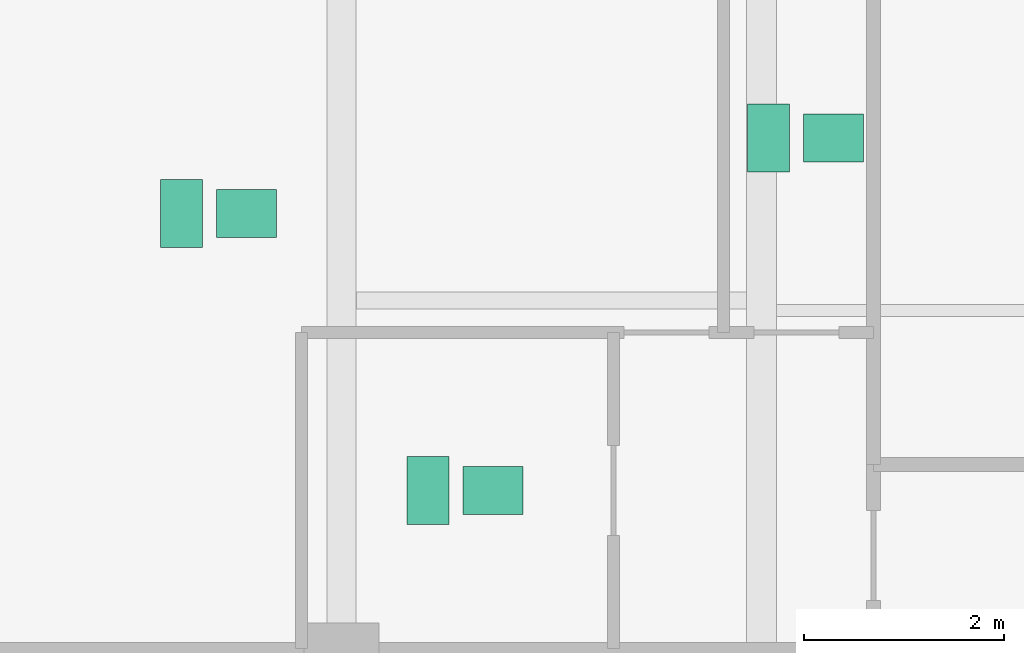
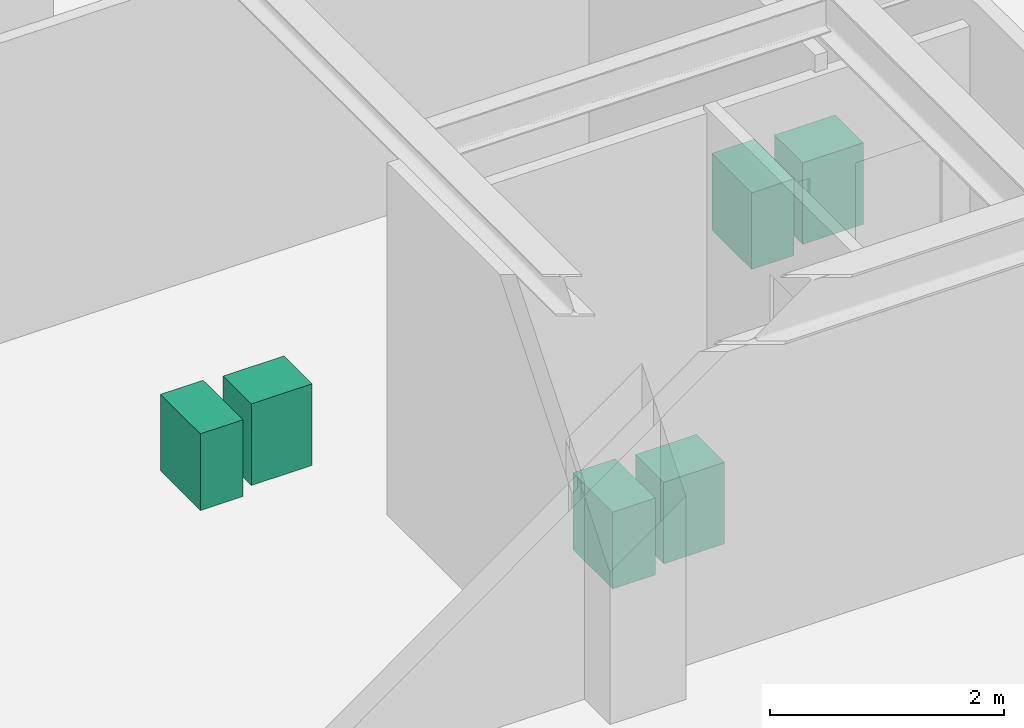
# One storey, part 22 of 22: 6 sanitary terminals.
"""IFC4 building model written with IfcOpenShell, lengths in metres."""

from ifc_helpers import new_model, si_unit, direction, frame, origin, origin_2d, place, context, subcontext, project, spatial, rectangle, extrude, source, transform, mapped, material, type_object, type_shapes, element, save


model = new_model("IFC4")

# Units and contexts
model_context = context("Model", 3, precision=1e-05, world=origin(), true_north=direction((0.0, 1.0)))
body_context = subcontext(model_context, "Body", "Model", "MODEL_VIEW")
ifc_project = project(units=[si_unit("LENGTHUNIT", "METRE"), si_unit("AREAUNIT", "SQUARE_METRE"), si_unit("VOLUMEUNIT", "CUBIC_METRE"), si_unit("PLANEANGLEUNIT", "RADIAN"), si_unit("MASSUNIT", "GRAM", prefix="KILO")], contexts=[model_context])

# Site, building, storey
site_placement = place(None, origin())
site = spatial("IfcSite", under=ifc_project, at=site_placement, CompositionType="ELEMENT")
building_placement = place(site_placement, origin())
building = spatial("IfcBuilding", under=site, at=building_placement, Name="Krantzveldt Concourse Tower", CompositionType="ELEMENT")
storey_placement = place(building_placement, frame((0.0, 0.0, 302.949951171875)))
storey = spatial("IfcBuildingStorey", under=building, at=storey_placement, Name="L74", CompositionType="ELEMENT", Elevation=302.949951171875)

# Sanitary terminals
ifc_material = material(Name="Vitreous china", Category="ceramic")
sanitary_terminal_type_1 = type_object("IfcSanitaryTerminalType", Name="SAN-WC-SUITE", PredefinedType="TOILETPAN", material=ifc_material)
shared_shape_1 = source(origin(), body_context, "Body", "SweptSolid", [
    extrude(rectangle(XDim=0.419921875, YDim=0.679931640625, at=origin_2d()), origin(), (0.0, 0.0, 1.0), 0.800048828125),
])
type_shapes(sanitary_terminal_type_1, [shared_shape_1])
for number, where, z_axis, x_axis, name in (
    (1, (19.400390625, 31.171142578125, 0.0), (0.0, 0.0, 1.0), (1.0, 0.0, 0.0), "WC-SP-L74-WCM"),
    (2, (25.27001953125, 31.925048828125, 0.0), (0.0, 0.0, 1.0), (1.0, 0.0, 0.0), "WC-SP-L74-WCF"),
    (3, (21.864990234375, 28.39990234375, 0.0), (0.0, 0.0, 1.0), (1.0, 0.0, 0.0), "WC-SP-L74-WCA"),
):
    element("IfcSanitaryTerminal", number, at=place(storey_placement, frame(where, z_axis=z_axis, x_axis=x_axis)), inside=storey, type_object=sanitary_terminal_type_1, Name=name, PredefinedType="TOILETPAN", context=body_context, shape_type="MappedRepresentation", body=[
        mapped(shared_shape_1, transform((0.0, 0.0, 0.0), x_axis=(1.0, 0.0, 0.0), y_axis=(0.0, 1.0, 0.0), z_axis=(0.0, 0.0, 1.0), scale=1.0)),
    ])
sanitary_terminal_type_2 = type_object("IfcSanitaryTerminalType", Name="SAN-BASIN-600", PredefinedType="WASHHANDBASIN", material=ifc_material)
shared_shape_2 = source(origin(), body_context, "Body", "SweptSolid", [
    extrude(rectangle(XDim=0.60009765625, YDim=0.47998046875, at=origin_2d()), origin(), (0.0, 0.0, 1.0), 0.85009765625),
])
type_shapes(sanitary_terminal_type_2, [shared_shape_2])
for number, where, z_axis, x_axis, name in (
    (4, (20.05029296875, 31.171142578125, 0.0048828125), (0.0, 0.0, 1.0), (1.0, 0.0, 0.0), "BSN-SP-L74-WCM"),
    (5, (25.919921875, 31.925048828125, 0.0048828125), (0.0, 0.0, 1.0), (1.0, 0.0, 0.0), "BSN-SP-L74-WCF"),
    (6, (22.514892578125, 28.39990234375, 0.0048828125), (0.0, 0.0, 1.0), (1.0, 0.0, 0.0), "BSN-SP-L74-WCA"),
):
    element("IfcSanitaryTerminal", number, at=place(storey_placement, frame(where, z_axis=z_axis, x_axis=x_axis)), inside=storey, type_object=sanitary_terminal_type_2, Name=name, PredefinedType="WASHHANDBASIN", context=body_context, shape_type="MappedRepresentation", body=[
        mapped(shared_shape_2, transform((0.0, 0.0, 0.0), x_axis=(1.0, 0.0, 0.0), y_axis=(0.0, 1.0, 0.0), z_axis=(0.0, 0.0, 1.0), scale=1.0)),
    ])

save(model, "model.ifc")
